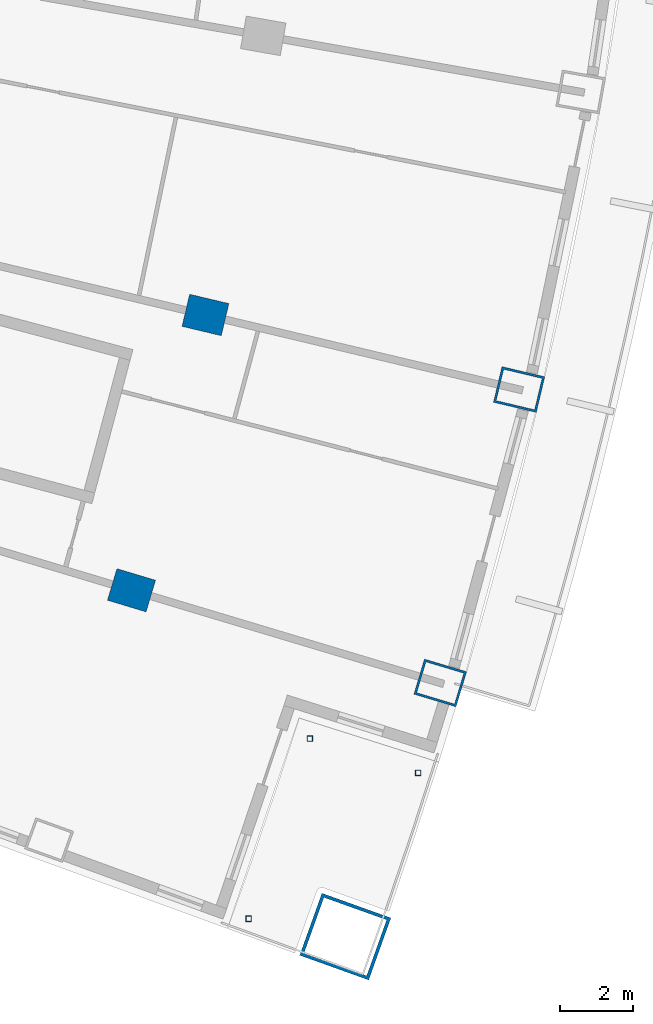
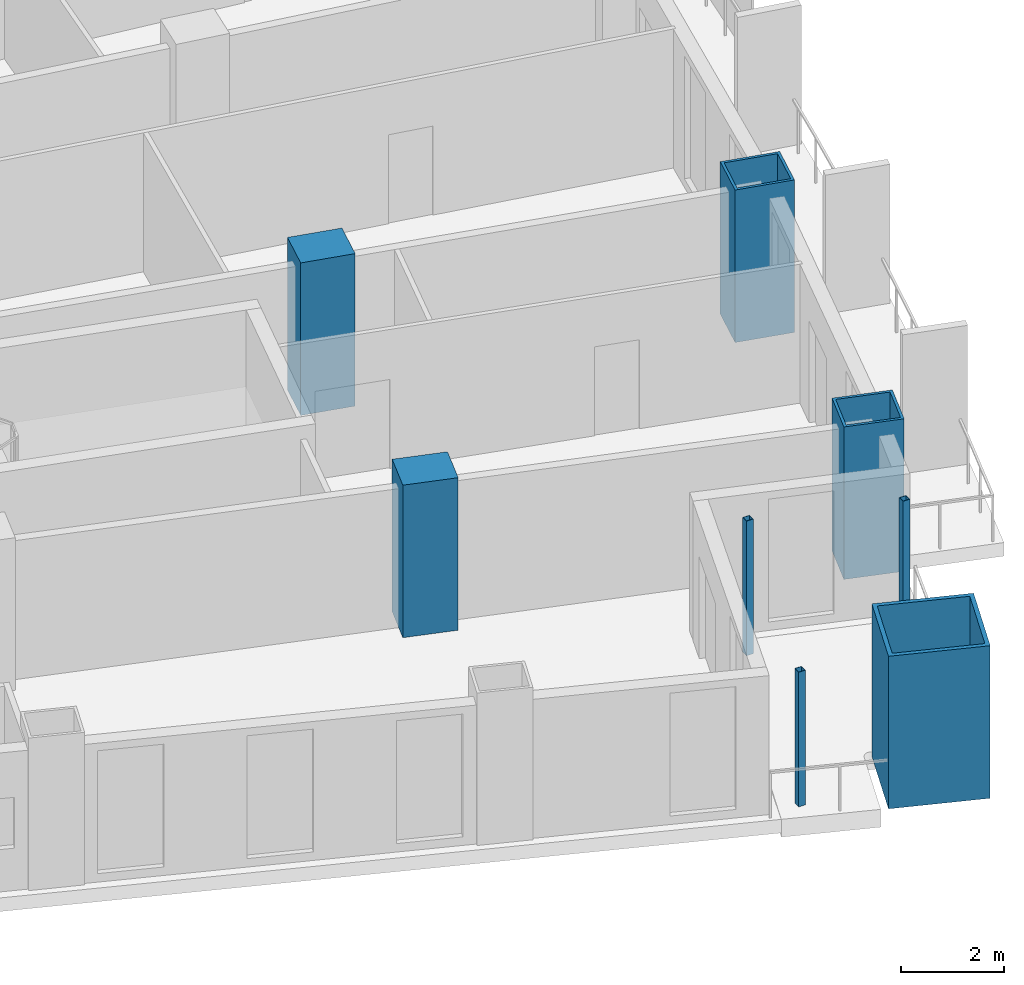
# One storey, part 5 of 25: 8 columns.
"""IFC4 building model written with IfcOpenShell, lengths in metres."""

import ifcopenshell
import ifcopenshell.guid

model = None  # the IFC model being written
_history = None  # IfcOwnerHistory: only IFC2X3 demands one
_inside = {}  # id of a spatial element -> (the spatial element, [elements in it])
_under = {}  # id of a project, library or spatial element -> (it, [spatial elements below it])
_declared = {}  # id of a project -> (the project, [libraries it declares])
_typed = {}  # id of a type object -> (the type object, [elements of that type])
_made_of = {}  # id of a material, layer set ... -> (it, [elements and type objects made of it])


def new_model(schema):
    """Start an empty IFC model of exactly this schema.

    Asked for "IFC4X3", IfcOpenShell would pick the latest addendum, in which some entities
    have other attributes; the version numbers below select the first issue.
    IFC2X3 requires an IfcOwnerHistory on every rooted entity: one is made here for all.
    """
    global model, _history
    if schema == "IFC4X3":
        model = ifcopenshell.file(schema_version=(4, 3, 0, 0))
    else:
        model = ifcopenshell.file(schema=schema)
    _inside.clear()
    _under.clear()
    _declared.clear()
    _typed.clear()
    _made_of.clear()
    _history = None
    if model.schema == "IFC2X3":
        org = make("IfcOrganization", Name="unknown")
        user = make(
            "IfcPersonAndOrganization",
            ThePerson=make("IfcPerson", FamilyName="unknown"),
            TheOrganization=org,
        )
        app = make(
            "IfcApplication",
            ApplicationDeveloper=org,
            Version="unknown",
            ApplicationFullName="unknown",
            ApplicationIdentifier="unknown",
        )
        _history = make(
            "IfcOwnerHistory",
            OwningUser=user,
            OwningApplication=app,
            ChangeAction="ADDED",
            CreationDate=0,
        )
    return model


def make(cls, **values):
    """One entity of the class cls with the attributes given. An attribute that is None is left unset."""
    return model.create_entity(
        cls, **{name: value for name, value in values.items() if value is not None}
    )


def rooted(cls, **values):
    """An entity with a GlobalId (a new one), such as an element, a storey or a relation."""
    return make(cls, GlobalId=ifcopenshell.guid.new(), OwnerHistory=_history, **values)


def si_unit(unit_type, name, prefix=None):
    """IfcSIUnit, for example si_unit("LENGTHUNIT", "METRE", prefix="MILLI")."""
    return make("IfcSIUnit", UnitType=unit_type, Prefix=prefix, Name=name)


def assignment(units):
    """IfcUnitAssignment: the units of a project."""
    return None if units is None else make("IfcUnitAssignment", Units=units)


def point(xyz):
    """IfcCartesianPoint."""
    return None if xyz is None else make("IfcCartesianPoint", Coordinates=xyz)


def direction(xyz):
    """IfcDirection."""
    return None if xyz is None else make("IfcDirection", DirectionRatios=xyz)


def frame(location, z_axis=None, x_axis=None):
    """IfcAxis2Placement3D, a coordinate frame: its origin and axes. An axis left out is left unset."""
    return make(
        "IfcAxis2Placement3D",
        Location=point(location),
        Axis=direction(z_axis),
        RefDirection=direction(x_axis),
    )


def frame_2d(location, x_axis=None):
    """IfcAxis2Placement2D, a coordinate frame in the plane: its origin and x axis."""
    return make(
        "IfcAxis2Placement2D", Location=point(location), RefDirection=direction(x_axis)
    )


def origin():
    """The frame at (0, 0, 0) with its axes left unset."""
    return frame((0.0, 0.0, 0.0))


def origin_2d():
    """The frame at (0, 0) in the plane with its x axis left unset."""
    return frame_2d((0.0, 0.0))


def place(relative_to, where):
    """IfcLocalPlacement: puts the frame where relative to a parent placement (None: the world)."""
    return make(
        "IfcLocalPlacement", PlacementRelTo=relative_to, RelativePlacement=where
    )


def context(
    kind, dimensions, precision=None, world=None, true_north=None, identifier=None
):
    """IfcGeometricRepresentationContext, for example the 3D "Model" context."""
    return make(
        "IfcGeometricRepresentationContext",
        ContextIdentifier=identifier,
        ContextType=kind,
        CoordinateSpaceDimension=dimensions,
        Precision=precision,
        WorldCoordinateSystem=world,
        TrueNorth=true_north,
    )


def subcontext(parent, identifier, kind, view, scale=None):
    """IfcGeometricRepresentationSubContext, for example "Body" below "Model"."""
    return make(
        "IfcGeometricRepresentationSubContext",
        ContextIdentifier=identifier,
        ContextType=kind,
        ParentContext=parent,
        TargetScale=scale,
        TargetView=view,
    )


def project(units=None, contexts=None):
    """IfcProject with its units and contexts."""
    return rooted(
        "IfcProject",
        Name="project",
        RepresentationContexts=contexts,
        UnitsInContext=assignment(units),
    )


def spatial(cls, under=None, at=None, **own):
    """A site, building, storey or space (cls), placed at a placement, below another one or the project."""
    s = rooted(cls, ObjectPlacement=at, **own)
    if under is not None:
        _under.setdefault(under.id(), (under, []))[1].append(s)
    return s


def profile(cls, at=None, kind="AREA", **sizes):
    """A parametric profile (cls). Its sizes go by their IFC names, for example OverallWidth=200.0."""
    return make(cls, ProfileType=kind, Position=at, **sizes)


def rectangle(**sizes):
    """IfcRectangleProfileDef."""
    return profile("IfcRectangleProfileDef", **sizes)


def hollow_rectangle(**sizes):
    """IfcRectangleHollowProfileDef."""
    return profile("IfcRectangleHollowProfileDef", **sizes)


def extrude(swept, where, along, depth):
    """IfcExtrudedAreaSolid: the profile swept, set in the frame where, extruded along a direction by depth."""
    return make(
        "IfcExtrudedAreaSolid",
        SweptArea=swept,
        Position=where,
        ExtrudedDirection=direction(along),
        Depth=depth,
    )


def shape(context_of_items, identifier, shape_type, items):
    """IfcShapeRepresentation: the items that make up one representation, for example the "Body"."""
    return make(
        "IfcShapeRepresentation",
        ContextOfItems=context_of_items,
        RepresentationIdentifier=identifier,
        RepresentationType=shape_type,
        Items=items,
    )


def material(Name=None, Category=None):
    """IfcMaterial."""
    return make("IfcMaterial", Name=Name, Category=Category)


def material_profile(
    of_material, cross_section, Name=None, Category=None, Priority=None
):
    """IfcMaterialProfile: a cross section and its material."""
    return make(
        "IfcMaterialProfile",
        Name=Name,
        Material=of_material,
        Profile=cross_section,
        Priority=Priority,
        Category=Category,
    )


def profile_set(profiles, Name=None, composite=None):
    """IfcMaterialProfileSet."""
    return make(
        "IfcMaterialProfileSet",
        Name=Name,
        MaterialProfiles=profiles,
        CompositeProfile=composite,
    )


def made_of(thing, what):
    """Note that an element or type object is made of a material, layer set ...; save() writes the relation."""
    if what is not None:
        _made_of.setdefault(what.id(), (what, []))[1].append(thing)
    return thing


def type_object(cls, material=None, **own):
    """A type object (cls), such as IfcWallType, which elements share."""
    return made_of(rooted(cls, **own), material)


def element(
    cls,
    number,
    at=None,
    inside=None,
    cuts=None,
    type_object=None,
    material=None,
    context=None,
    identifier="Body",
    shape_type=None,
    held_by="IfcProductDefinitionShape",
    body=None,
    shapes=None,
    **own,
):
    """One element of the class cls, such as IfcWall. Its Tag is "e" and its number.

    at: its placement. inside: the storey or other place that contains it. cuts: it is an
    opening in that element (IfcRelVoidsElement). A single representation is given by context,
    identifier, shape_type and body (its items); several are given by shapes. held_by: the class
    of the entity that holds the representations. save() writes the other relations.
    """
    e = rooted(cls, Tag="e%d" % number, ObjectPlacement=at, **own)
    if body is not None:
        shapes = [shape(context, identifier, shape_type, body)]
    if shapes is not None:
        e.Representation = make(held_by, Representations=shapes)
    if inside is not None:
        _inside.setdefault(inside.id(), (inside, []))[1].append(e)
    if cuts is not None:
        rooted(
            "IfcRelVoidsElement", RelatingBuildingElement=cuts, RelatedOpeningElement=e
        )
    if type_object is not None:
        _typed.setdefault(type_object.id(), (type_object, []))[1].append(e)
    return made_of(e, material)


def aggregate(whole, parts):
    """IfcRelAggregates: a whole, such as a stair, and the parts it consists of."""
    return rooted("IfcRelAggregates", RelatingObject=whole, RelatedObjects=parts)


def save(model, path):
    """Write the relations noted so far, then the file.

    IfcRelAggregates (storeys below a building ...), IfcRelContainedInSpatialStructure (elements
    in a storey), IfcRelDefinesByType, IfcRelAssociatesMaterial and IfcRelDeclares: one each for
    every whole, place, type object, material and project.
    """
    for whole, parts in _under.values():
        aggregate(whole, parts)
    for where, things in _inside.values():
        rooted(
            "IfcRelContainedInSpatialStructure",
            RelatedElements=things,
            RelatingStructure=where,
        )
    for kind, things in _typed.values():
        rooted("IfcRelDefinesByType", RelatedObjects=things, RelatingType=kind)
    for what, things in _made_of.values():
        rooted("IfcRelAssociatesMaterial", RelatedObjects=things, RelatingMaterial=what)
    for by, libraries in _declared.values():
        rooted("IfcRelDeclares", RelatingContext=by, RelatedDefinitions=libraries)
    model.write(path)


model = new_model("IFC4")

# Units and contexts
model_context = context("Model", 3, precision=1e-05, world=origin(), true_north=direction((0.0, 1.0)))
body_context = subcontext(model_context, "Body", "Model", "MODEL_VIEW")
ifc_project = project(units=[si_unit("LENGTHUNIT", "METRE"), si_unit("AREAUNIT", "SQUARE_METRE"), si_unit("VOLUMEUNIT", "CUBIC_METRE"), si_unit("PLANEANGLEUNIT", "RADIAN"), si_unit("MASSUNIT", "GRAM", prefix="KILO")], contexts=[model_context])

# Site, building, storey
site_placement = place(None, origin())
site = spatial("IfcSite", under=ifc_project, at=site_placement, CompositionType="ELEMENT")
building_placement = place(site_placement, origin())
building = spatial("IfcBuilding", under=site, at=building_placement, Name="Alderwake Tower", CompositionType="ELEMENT")
storey_placement = place(building_placement, frame((0.0, 0.0, 68.0)))
storey = spatial("IfcBuildingStorey", under=building, at=storey_placement, Name="L16", CompositionType="ELEMENT", Elevation=68.0)

# Columns
ifc_material_1 = material(Name="Concrete C70/85", Category="concrete")
ifc_material_profile_1 = material_profile(ifc_material_1, rectangle(XDim=0.89990234375, YDim=1.10009765625, at=origin_2d()), Name="RC 1100X900")
ifc_profile_set_1 = profile_set([ifc_material_profile_1], Name="Concrete C70/85")
column_type_1 = type_object("IfcColumnType", Name="Interior column Z1", PredefinedType="COLUMN", material=ifc_profile_set_1)
for number, where, z_axis, x_axis, name in (
    (1, (47.76611328125, 22.64111328125, 0.0), (0.0, 0.0, 1.0), (0.287549418125, 0.957765802342, 0.0), "Column R02-C4"),
    (2, (49.784912109375, 30.155029296875, 0.0), (0.0, 0.0, 1.0), (0.231221547198, 0.972901123502, 0.0), "Column R03-C4"),
):
    element("IfcColumn", number, at=place(storey_placement, frame(where, z_axis=z_axis, x_axis=x_axis)), inside=storey, type_object=column_type_1, Name=name, PredefinedType="COLUMN", context=body_context, shape_type="SweptSolid", body=[
        extrude(rectangle(XDim=0.89990234375, YDim=1.10009765625, at=origin_2d()), origin(), (0.0, 0.0, 1.0), 3.60009765625),
    ])
ifc_material_2 = material(Name="Steel ASTM A500 Grade C", Category="steel")
ifc_material_profile_2 = material_profile(ifc_material_2, hollow_rectangle(XDim=0.15234375, YDim=0.15234375, WallThickness=0.0087890625, at=origin_2d()), Name="HSS6X6X3/8")
ifc_profile_set_2 = profile_set([ifc_material_profile_2], Name="Steel ASTM A500 Grade C")
column_type_2 = type_object("IfcColumnType", Name="Light post HSS6X6X3/8", PredefinedType="COLUMN", material=ifc_profile_set_2)
for number, where, z_axis, x_axis, name in (
    (3, (55.590087890625, 17.65478515625, 0.0), (0.0, 0.0, 1.0), (1.0, 0.0, 0.0), "Terrace post FS1"),
    (4, (50.961181640625, 13.67431640625, 0.0), (0.0, 0.0, 1.0), (1.0, 0.0, 0.0), "Terrace post FS2"),
    (5, (52.634521484375, 18.58935546875, 0.0), (0.0, 0.0, 1.0), (1.0, 0.0, 0.0), "Terrace post FS3"),
):
    element("IfcColumn", number, at=place(storey_placement, frame(where, z_axis=z_axis, x_axis=x_axis)), inside=storey, type_object=column_type_2, Name=name, PredefinedType="COLUMN", context=body_context, shape_type="SweptSolid", body=[
        extrude(hollow_rectangle(XDim=0.15234375, YDim=0.15234375, WallThickness=0.0087890625, at=origin_2d()), origin(), (0.0, 0.0, 1.0), 3.179931640625),
    ])
ifc_material_3 = material(Name="Steel ASTM A572 Grade 50 concrete filled C70/85", Category="concrete")
ifc_material_profile_3 = material_profile(ifc_material_3, hollow_rectangle(XDim=1.800048828125, YDim=2.0, WallThickness=0.090087890625, at=origin_2d()), Name="BOX 2000X1800X90")
ifc_profile_set_3 = profile_set([ifc_material_profile_3], Name="Steel ASTM A572 Grade 50 concrete filled C70/85")
column_type_3 = type_object("IfcColumnType", Name="Mega column Z1", PredefinedType="COLUMN", material=ifc_profile_set_3)
column_placement = place(storey_placement, frame((53.602294921875, 13.1875, 0.0), z_axis=(0.0, 0.0, 1.0), x_axis=(0.336945725149, 0.941524072079, 0.0)))
element("IfcColumn", 6, at=column_placement, inside=storey, type_object=column_type_3, Name="Column R01-C5", PredefinedType="COLUMN", context=body_context, shape_type="SweptSolid", body=[
    extrude(hollow_rectangle(XDim=1.800048828125, YDim=2.0, WallThickness=0.090087890625, at=origin_2d()), origin(), (0.0, 0.0, 1.0), 3.60009765625),
])
ifc_material_4 = material(Name="Steel ASTM A572 Grade 50 concrete filled C70/85", Category="concrete")
ifc_material_profile_4 = material_profile(ifc_material_4, hollow_rectangle(XDim=1.0, YDim=1.199951171875, WallThickness=0.06005859375, at=origin_2d()), Name="BOX 1200X1000X60")
ifc_profile_set_4 = profile_set([ifc_material_profile_4], Name="Steel ASTM A572 Grade 50 concrete filled C70/85")
column_type_4 = type_object("IfcColumnType", Name="Perimeter column Z1", PredefinedType="COLUMN", material=ifc_profile_set_4)
for number, where, z_axis, x_axis, name in (
    (7, (56.1943359375, 20.110595703125, 0.0), (0.0, 0.0, 1.0), (0.287549418125, 0.957765802342, 0.0), "Column R02-C5"),
    (8, (58.346435546875, 28.120361328125, 0.0), (0.0, 0.0, 1.0), (0.231221547198, 0.972901123502, 0.0), "Column R03-C5"),
):
    element("IfcColumn", number, at=place(storey_placement, frame(where, z_axis=z_axis, x_axis=x_axis)), inside=storey, type_object=column_type_4, Name=name, PredefinedType="COLUMN", context=body_context, shape_type="SweptSolid", body=[
        extrude(hollow_rectangle(XDim=1.0, YDim=1.199951171875, WallThickness=0.06005859375, at=origin_2d()), origin(), (0.0, 0.0, 1.0), 3.60009765625),
    ])

save(model, "model.ifc")
